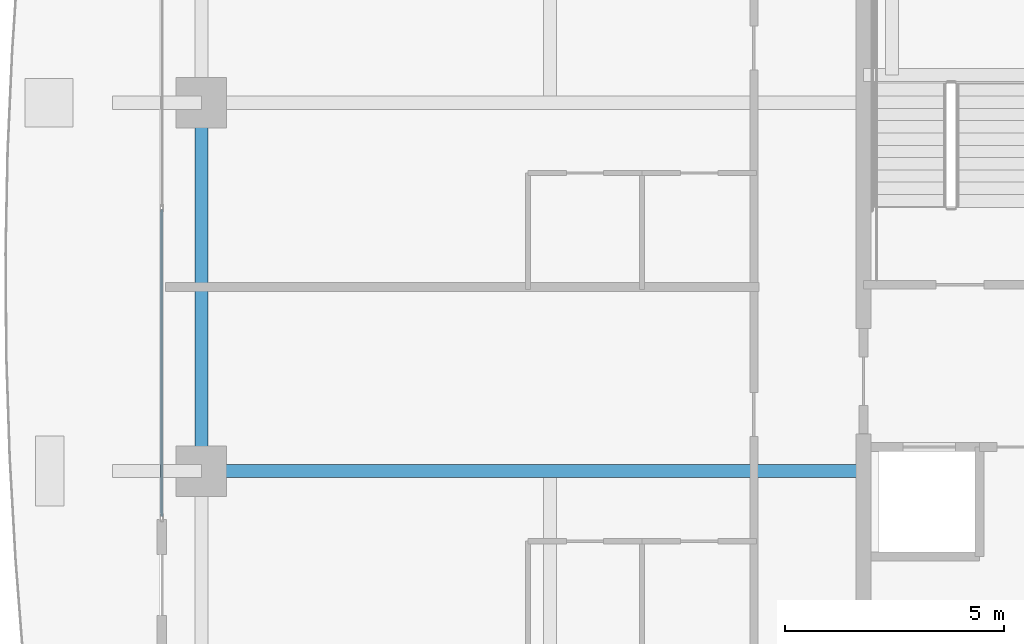
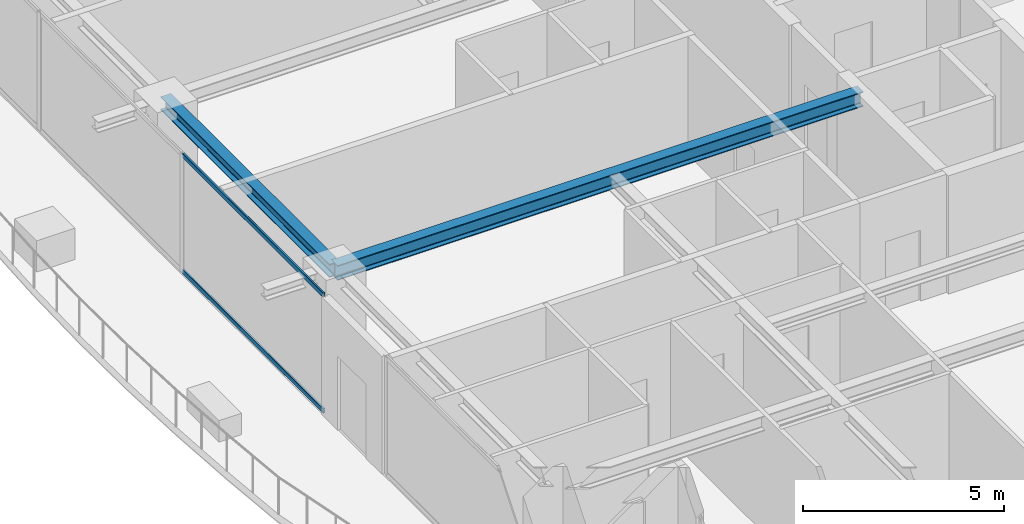
# One storey, part 8 of 38: 2 beams, 2 members, 1 element without a shape of its own.
"""IFC4 building model written with IfcOpenShell, lengths in metres."""

from ifc_helpers import new_model, si_unit, direction, frame, origin, origin_2d, place, context, subcontext, project, spatial, hollow_rectangle, i_section, extrude, source, transform, mapped, material, layer, layer_set, material_profile, profile_set, type_object, element, aggregate, save


model = new_model("IFC4")

# Units and contexts
model_context = context("Model", 3, precision=1e-05, world=origin(), true_north=direction((0.0, 1.0)))
body_context = subcontext(model_context, "Body", "Model", "MODEL_VIEW")
ifc_project = project(units=[si_unit("LENGTHUNIT", "METRE"), si_unit("AREAUNIT", "SQUARE_METRE"), si_unit("VOLUMEUNIT", "CUBIC_METRE"), si_unit("PLANEANGLEUNIT", "RADIAN"), si_unit("MASSUNIT", "GRAM", prefix="KILO")], contexts=[model_context])

# Site, building, storey
site_placement = place(None, origin())
site = spatial("IfcSite", under=ifc_project, at=site_placement, CompositionType="ELEMENT")
building_placement = place(site_placement, origin())
building = spatial("IfcBuilding", under=site, at=building_placement, Name="Serunith Strait Residences", CompositionType="ELEMENT")
storey_placement = place(building_placement, frame((0.0, 0.0, 241.25)))
storey = spatial("IfcBuildingStorey", under=building, at=storey_placement, Name="L60", CompositionType="ELEMENT", Elevation=241.25)

# Beams
ifc_material_1 = material(Name="Steel S355J2", Category="steel")
ifc_material_profile_1 = material_profile(ifc_material_1, i_section(OverallWidth=0.300048828125, OverallDepth=0.449951171875, WebThickness=0.013916015625, FlangeThickness=0.02587890625, FilletRadius=0.027099609375, at=origin_2d()), Name="HEB 450")
ifc_profile_set_1 = profile_set([ifc_material_profile_1], Name="Steel S355J2")
beam_type_1 = type_object("IfcBeamType", Name="BM-HEB450", PredefinedType="BEAM", material=ifc_profile_set_1)
shared_shape_1 = source(origin(), body_context, "Body", "SweptSolid", [
    extrude(i_section(OverallWidth=0.300048828125, OverallDepth=0.449951171875, WebThickness=0.013916015625, FlangeThickness=0.02587890625, FilletRadius=0.027099609375, at=origin_2d()), origin(), (0.0, 0.0, 1.0), 15.099853515625),
])
beam_1_placement = place(storey_placement, frame((23.39990234375, 21.0, 3.362060546875), z_axis=(-1.0, 0.0, 0.0), x_axis=(0.0, -1.0, 0.0)))
element("IfcBeam", 1, at=beam_1_placement, inside=storey, type_object=beam_type_1, Name="L60 Primary Floor Girder TC-W2", PredefinedType="BEAM", context=body_context, shape_type="MappedRepresentation", body=[
    mapped(shared_shape_1, transform((0.0, 0.0, 0.0), scale=1.0)),
])
ifc_material_profile_2 = material_profile(ifc_material_1, i_section(OverallWidth=0.300048828125, OverallDepth=0.39990234375, WebThickness=0.013427734375, FlangeThickness=0.02392578125, FilletRadius=0.027099609375, at=origin_2d()), Name="HEB 400")
ifc_profile_set_2 = profile_set([ifc_material_profile_2], Name="Steel S355J2")
beam_type_2 = type_object("IfcBeamType", Name="BM-HEB400", PredefinedType="BEAM", material=ifc_profile_set_2)
shared_shape_2 = source(origin(), body_context, "Body", "SweptSolid", [
    extrude(i_section(OverallWidth=0.300048828125, OverallDepth=0.39990234375, WebThickness=0.013427734375, FlangeThickness=0.02392578125, FilletRadius=0.027099609375, at=origin_2d()), origin(), (0.0, 0.0, 1.0), 8.39990234375),
])
beam_2_placement = place(storey_placement, frame((8.300048828125, 29.39990234375, 3.386962890625), z_axis=(0.0, -1.0, 0.0), x_axis=(1.0, 0.0, 0.0)))
element("IfcBeam", 2, at=beam_2_placement, inside=storey, type_object=beam_type_2, Name="L60 Perimeter Ring Beam 14", PredefinedType="BEAM", context=body_context, shape_type="MappedRepresentation", body=[
    mapped(shared_shape_2, transform((0.0, 0.0, 0.0), scale=1.0)),
])

# Curtain wall, members
ifc_material_2 = material(Name="Pale-Champagne Anodised Aluminium", Category="aluminium")
ifc_layer = layer(ifc_material_2, 0.199951171875, Name="Pale-Champagne Anodised Aluminium")
ifc_layer_set = layer_set([ifc_layer], Name="Pale-Champagne Anodised Aluminium")
curtain_wall_type = type_object("IfcCurtainWallType", Name="CW-SYS4", PredefinedType="NOTDEFINED", material=ifc_layer_set)
curtain_wall_placement = place(storey_placement, origin())
curtain_wall = element("IfcCurtainWall", 3, at=curtain_wall_placement, inside=storey, type_object=curtain_wall_type, Name="L60 W Unitised Fritted Curtain Wall", PredefinedType="NOTDEFINED")
ifc_material_profile_3 = material_profile(ifc_material_2, hollow_rectangle(XDim=0.06005859375, YDim=0.139892578125, WallThickness=0.00341796875, InnerFilletRadius=0.00537109375, OuterFilletRadius=0.0087890625, at=origin_2d()), Name="ALU 140x60x3.5")
ifc_profile_set_3 = profile_set([ifc_material_profile_3], Name="Pale-Champagne Anodised Aluminium")
member_type = type_object("IfcMemberType", Name="CW-SYS4-TRAN", PredefinedType="USERDEFINED", material=ifc_profile_set_3)
shared_shape_3 = source(origin(), body_context, "Body", "SweptSolid", [
    extrude(hollow_rectangle(XDim=0.06005859375, YDim=0.139892578125, WallThickness=0.00341796875, InnerFilletRadius=0.00537109375, OuterFilletRadius=0.0087890625, at=origin_2d()), origin(), (0.0, 0.0, 1.0), 7.00244140625),
])
member_1_placement = place(storey_placement, frame((7.39990234375, 26.967529296875, 0.030029296875), z_axis=(0.0, -1.0, 0.0), x_axis=(1.0, 0.0, 0.0)))
member_1 = element("IfcMember", 4, at=member_1_placement, type_object=member_type, Name="CW-4 transom 3.1", ObjectType="TRANSOM", PredefinedType="USERDEFINED", context=body_context, shape_type="MappedRepresentation", body=[
    mapped(shared_shape_3, transform((0.0, 0.0, 0.0), scale=1.0)),
])
member_2_placement = place(storey_placement, frame((7.39990234375, 26.967529296875, 3.544921875), z_axis=(0.0, -1.0, 0.0), x_axis=(1.0, 0.0, 0.0)))
member_2 = element("IfcMember", 5, at=member_2_placement, type_object=member_type, Name="CW-4 transom 3.2", ObjectType="TRANSOM", PredefinedType="USERDEFINED", context=body_context, shape_type="MappedRepresentation", body=[
    mapped(shared_shape_3, transform((0.0, 0.0, 0.0), scale=1.0)),
])
aggregate(curtain_wall, [member_1, member_2])

save(model, "model.ifc")
